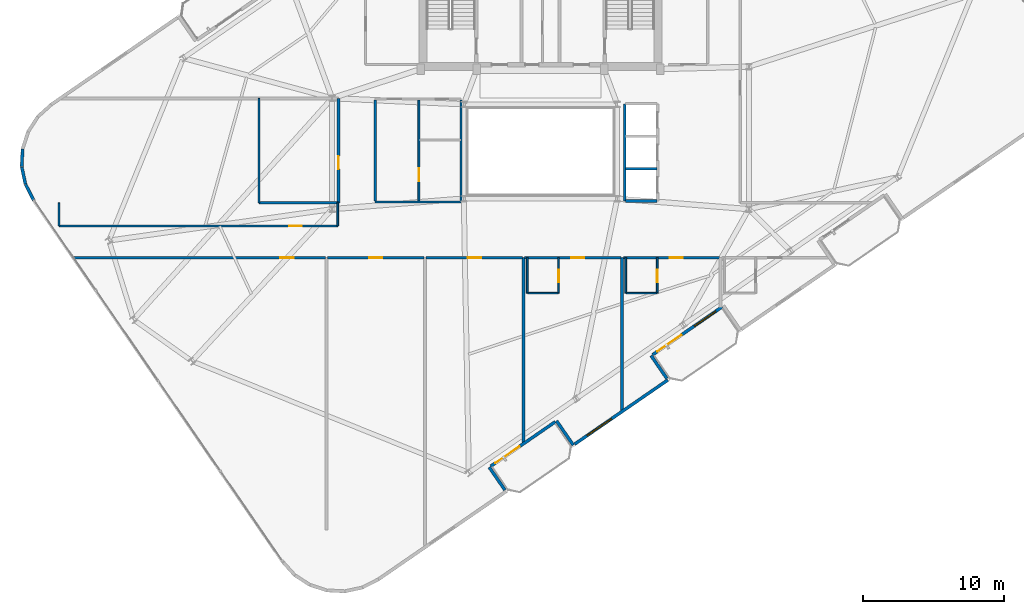
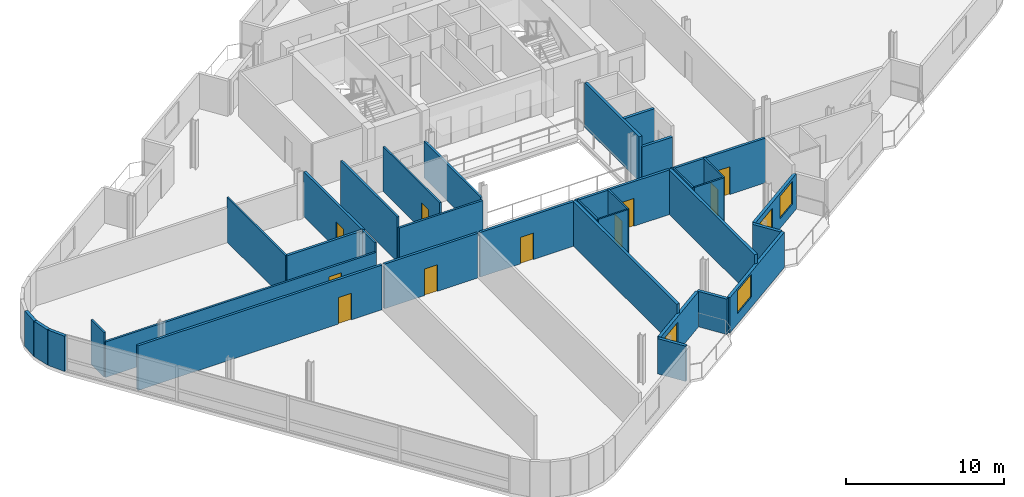
# One storey, part 14 of 21: 35 walls, 12 doors, 2 windows, 14 openings.
"""IFC4 building model written with IfcOpenShell, lengths in metres."""

from ifc_helpers import new_model, si_unit, direction, frame, frame_2d, origin, place, context, subcontext, project, spatial, rectangle, extrude, material, layer, layer_set, type_object, element, fill, save


model = new_model("IFC4")

# Units and contexts
model_context = context("Model", 3, precision=1e-05, world=origin(), true_north=direction((0.0, 1.0)))
body_context = subcontext(model_context, "Body", "Model", "MODEL_VIEW")
ifc_project = project(units=[si_unit("LENGTHUNIT", "METRE"), si_unit("AREAUNIT", "SQUARE_METRE"), si_unit("VOLUMEUNIT", "CUBIC_METRE"), si_unit("PLANEANGLEUNIT", "RADIAN"), si_unit("MASSUNIT", "GRAM", prefix="KILO")], contexts=[model_context])

# Site, building, storey
site_placement = place(None, origin())
site = spatial("IfcSite", under=ifc_project, at=site_placement, CompositionType="ELEMENT")
building_placement = place(site_placement, origin())
building = spatial("IfcBuilding", under=site, at=building_placement, Name="Varnelok Gate Tower", CompositionType="ELEMENT")
storey_placement = place(building_placement, frame((0.0, 0.0, 265.60009765625)))
storey = spatial("IfcBuildingStorey", under=building, at=storey_placement, Name="L68", CompositionType="ELEMENT", Elevation=265.60009765625)

# Wall, opening, door
ifc_material_1 = material(Name="Concrete C45/55", Category="concrete")
ifc_layer_1 = layer(ifc_material_1, 0.219970703125)
ifc_layer_set_1 = layer_set([ifc_layer_1], Name="Concrete C45/55")
wall_type_1 = type_object("IfcWallType", Name="EW-BALC-220", PredefinedType="SOLIDWALL", material=ifc_layer_set_1)
wall_1_placement = place(storey_placement, frame((40.243896484375, 3.6884765625, 0.0), z_axis=(0.0, 0.0, 1.0), x_axis=(-0.823541290762, -0.567256328665, 0.0)))
wall_1 = element("IfcWall", 1, at=wall_1_placement, inside=storey, type_object=wall_type_1, Name="L68 South Terrace Envelope Wall 1", PredefinedType="SOLIDWALL", context=body_context, shape_type="SweptSolid", body=[
    extrude(rectangle(XDim=5.567138671875, YDim=0.219970703125, at=frame_2d((2.78369140625, 0.0))), origin(), (0.0, 0.0, 1.0), 2.72998046875),
])
opening_1_placement = place(wall_1_placement, frame((3.06689453125, 0.0, 0.0)))
opening_1 = element("IfcOpeningElement", 2, at=opening_1_placement, cuts=wall_1, Name="Opening BD-2", PredefinedType="OPENING", context=body_context, shape_type="SweptSolid", body=[
    extrude(rectangle(XDim=2.10009765625, YDim=2.300048828125, at=frame_2d((1.050048828125, 1.14990234375))), frame((0.0, 0.119873046875, 0.0), z_axis=(0.0, -1.0, 0.0), x_axis=(1.0, 0.0, 0.0)), (0.0, 0.0, 1.0), 0.239990234375),
])
ifc_material_2 = material(Name="Anodized Aluminum Alloy 6063-T6", Category="aluminium")
door_type_1 = type_object("IfcDoorType", Name="DR-EXT-SLID2100", OperationType="SLIDING_TO_LEFT", PredefinedType="DOOR", material=ifc_material_2)
door_1_placement = place(opening_1_placement, origin())
door_1 = element("IfcDoor", 3, at=door_1_placement, inside=storey, type_object=door_type_1, Name="L68 South Balcony Glazed Door 1", OperationType="SLIDING_TO_LEFT", OverallHeight=2.300048828125, OverallWidth=2.10009765625, PredefinedType="DOOR", context=body_context, shape_type="SweptSolid", body=[
    extrude(rectangle(XDim=2.10009765625, YDim=2.300048828125, at=frame_2d((1.050048828125, 1.14990234375))), frame((0.0, 0.02490234375, 0.0), z_axis=(0.0, -1.0, 0.0), x_axis=(1.0, 0.0, 0.0)), (0.0, 0.0, 1.0), 0.050048828125),
])
fill(opening_1, door_1)

# Wall, openings, door, window
wall_2_placement = place(storey_placement, frame((52.102783203125, 11.85693359375, 0.0), z_axis=(0.0, 0.0, 1.0), x_axis=(-0.823534636215, -0.567265989598, 0.0)))
wall_2 = element("IfcWall", 4, at=wall_2_placement, inside=storey, type_object=wall_type_1, Name="L68 South Terrace Envelope Wall 2", PredefinedType="SOLIDWALL", context=body_context, shape_type="SweptSolid", body=[
    extrude(rectangle(XDim=6.0, YDim=0.219970703125, at=frame_2d((3.0, 0.0))), origin(), (0.0, 0.0, 1.0), 2.72998046875),
])
opening_2_placement = place(wall_2_placement, frame((3.5, 0.0, 0.0)))
opening_2 = element("IfcOpeningElement", 5, at=opening_2_placement, cuts=wall_2, Name="Opening BD-2", PredefinedType="OPENING", context=body_context, shape_type="SweptSolid", body=[
    extrude(rectangle(XDim=2.10009765625, YDim=2.300048828125, at=frame_2d((1.050048828125, 1.14990234375))), frame((0.0, 0.119873046875, 0.0), z_axis=(0.0, -1.0, 0.0), x_axis=(1.0, 0.0, 0.0)), (0.0, 0.0, 1.0), 0.239990234375),
])
opening_3_placement = place(wall_2_placement, frame((0.550048828125, 0.0, 0.75)))
opening_3 = element("IfcOpeningElement", 6, at=opening_3_placement, cuts=wall_2, Name="Opening WN5", PredefinedType="OPENING", context=body_context, shape_type="SweptSolid", body=[
    extrude(rectangle(XDim=1.85009765625, YDim=1.75, at=frame_2d((0.925048828125, 0.875))), frame((0.0, 0.119873046875, 0.0), z_axis=(0.0, -1.0, 0.0), x_axis=(1.0, 0.0, 0.0)), (0.0, 0.0, 1.0), 0.239990234375),
])
door_2_placement = place(opening_2_placement, origin())
door_2 = element("IfcDoor", 7, at=door_2_placement, inside=storey, type_object=door_type_1, Name="L68 South Balcony Glazed Door 2", OperationType="SLIDING_TO_LEFT", OverallHeight=2.300048828125, OverallWidth=2.10009765625, PredefinedType="DOOR", context=body_context, shape_type="SweptSolid", body=[
    extrude(rectangle(XDim=2.10009765625, YDim=2.300048828125, at=frame_2d((1.050048828125, 1.14990234375))), frame((0.0, 0.02490234375, 0.0), z_axis=(0.0, -1.0, 0.0), x_axis=(1.0, 0.0, 0.0)), (0.0, 0.0, 1.0), 0.050048828125),
])
fill(opening_2, door_2)
ifc_material_3 = material(Name="Low-E Laminated Double Glazing IGU", Category="glass")
window_type_1 = type_object("IfcWindowType", Name="WN-RES-1850", PartitioningType="SINGLE_PANEL", PredefinedType="WINDOW", material=ifc_material_3)
window_1_placement = place(opening_3_placement, origin())
window_1 = element("IfcWindow", 8, at=window_1_placement, inside=storey, type_object=window_type_1, Name="L68 South Vision Window 2.1", OverallHeight=1.75, OverallWidth=1.85009765625, PartitioningType="SINGLE_PANEL", PredefinedType="WINDOW", context=body_context, shape_type="SweptSolid", body=[
    extrude(rectangle(XDim=1.85009765625, YDim=1.75, at=frame_2d((0.925048828125, 0.875))), frame((0.0, 0.030029296875, 0.0), z_axis=(0.0, -1.0, 0.0), x_axis=(1.0, 0.0, 0.0)), (0.0, 0.0, 1.0), 0.06005859375),
])
fill(opening_3, window_1)

# Walls
wall_3_placement = place(storey_placement, frame((36.675048828125, -1.156005859375, 0.0), z_axis=(0.0, 0.0, 1.0), x_axis=(-0.567215821234, 0.823569190865, 0.0)))
element("IfcWall", 9, at=wall_3_placement, inside=storey, type_object=wall_type_1, Name="L68 Perimeter Facade Closure Wall 8", PredefinedType="SOLIDWALL", context=body_context, shape_type="SweptSolid", body=[
    extrude(rectangle(XDim=1.97509765625, YDim=0.219970703125, at=frame_2d((0.987548828125, 0.0))), origin(), (0.0, 0.0, 1.0), 2.72998046875),
])
wall_4_placement = place(storey_placement, frame((40.3369140625, 3.7646484375, 0.0), z_axis=(0.0, 0.0, 1.0), x_axis=(0.567352541689, -0.823475010816, 0.0)))
element("IfcWall", 10, at=wall_4_placement, inside=storey, type_object=wall_type_1, Name="L68 Perimeter Facade Closure Wall 9", PredefinedType="SOLIDWALL", context=body_context, shape_type="SweptSolid", body=[
    extrude(rectangle(XDim=2.099853515625, YDim=0.219970703125, at=frame_2d((1.0498046875, 0.0))), origin(), (0.0, 0.0, 1.0), 2.72998046875),
])

# Wall, opening, window
wall_5_placement = place(storey_placement, frame((41.631103515625, 2.106201171875, 0.0), z_axis=(0.0, 0.0, 1.0), x_axis=(0.823530942962, 0.56727135128, 0.0)))
wall_5 = element("IfcWall", 11, at=wall_5_placement, inside=storey, type_object=wall_type_1, Name="L68 Perimeter Facade Closure Wall 10", PredefinedType="SOLIDWALL", context=body_context, shape_type="SweptSolid", body=[
    extrude(rectangle(XDim=8.03515625, YDim=0.219970703125, at=frame_2d((4.017578125, 0.0))), origin(), (0.0, 0.0, 1.0), 2.72998046875),
])
opening_4_placement = place(wall_5_placement, frame((1.068359375, 0.0, 0.800048828125)))
opening_4 = element("IfcOpeningElement", 12, at=opening_4_placement, cuts=wall_5, Name="Opening WN4", PredefinedType="OPENING", context=body_context, shape_type="SweptSolid", body=[
    extrude(rectangle(XDim=2.10009765625, YDim=1.75, at=frame_2d((1.050048828125, 0.875))), frame((0.0, 0.119873046875, 0.0), z_axis=(0.0, -1.0, 0.0), x_axis=(1.0, 0.0, 0.0)), (0.0, 0.0, 1.0), 0.239990234375),
])
window_type_2 = type_object("IfcWindowType", Name="WN-SUI-2100", PartitioningType="SINGLE_PANEL", PredefinedType="WINDOW", material=ifc_material_3)
window_2_placement = place(opening_4_placement, origin())
window_2 = element("IfcWindow", 13, at=window_2_placement, inside=storey, type_object=window_type_2, Name="L68 Perimeter Vision Window 10", OverallHeight=1.75, OverallWidth=2.10009765625, PartitioningType="SINGLE_PANEL", PredefinedType="WINDOW", context=body_context, shape_type="SweptSolid", body=[
    extrude(rectangle(XDim=2.10009765625, YDim=1.75, at=frame_2d((1.050048828125, 0.875))), frame((0.0, 0.030029296875, 0.0), z_axis=(0.0, -1.0, 0.0), x_axis=(1.0, 0.0, 0.0)), (0.0, 0.0, 1.0), 0.06005859375),
])
fill(opening_4, window_2)

# Walls
wall_6_placement = place(storey_placement, frame((48.17724609375, 6.76708984375, 0.0), z_axis=(0.0, 0.0, 1.0), x_axis=(-0.567273565974, 0.823529417415, 0.0)))
element("IfcWall", 14, at=wall_6_placement, inside=storey, type_object=wall_type_1, Name="L68 Perimeter Facade Closure Wall 11", PredefinedType="SOLIDWALL", context=body_context, shape_type="SweptSolid", body=[
    extrude(rectangle(XDim=1.97509765625, YDim=0.219970703125, at=frame_2d((0.987548828125, 0.0))), origin(), (0.0, 0.0, 1.0), 2.72998046875),
])
wall_7_placement = place(storey_placement, frame((2.409912109375, 23.06591796875, 0.0), z_axis=(0.0, 0.0, 1.0), x_axis=(-0.051234756022, -0.998686637427, 0.0)))
element("IfcWall", 15, at=wall_7_placement, inside=storey, type_object=wall_type_1, Name="L68 Perimeter Facade Closure Wall 42", PredefinedType="SOLIDWALL", context=body_context, shape_type="SweptSolid", body=[
    extrude(rectangle(XDim=1.24853515625, YDim=0.219970703125, at=frame_2d((0.624267578125, 0.0))), origin(), (0.0, 0.0, 1.0), 2.72998046875),
])
for number, where, z_axis, x_axis, name in (
    (16, (2.35107421875, 21.794677734375, 0.0), (0.0, 0.0, 1.0), (0.208994994656, -0.977916710262, 0.0), "L68 Perimeter Facade Closure Wall 43"),
    (17, (2.623291015625, 20.55126953125, 0.0), (0.0, 0.0, 1.0), (0.454938817534, -0.890522696118, 0.0), "L68 Perimeter Facade Closure Wall 44"),
):
    element("IfcWall", number, at=place(storey_placement, frame(where, z_axis=z_axis, x_axis=x_axis)), inside=storey, type_object=wall_type_1, Name=name, PredefinedType="SOLIDWALL", context=body_context, shape_type="SweptSolid", body=[
        extrude(rectangle(XDim=1.248779296875, YDim=0.219970703125, at=frame_2d((0.62451171875, 0.0))), origin(), (0.0, 0.0, 1.0), 2.72998046875),
    ])

# Wall, opening, door
ifc_material_4 = material(Name="Gypsum Plasterboard Acoustic Partition", Category="gypsum")
ifc_layer_2 = layer(ifc_material_4, 0.179931640625)
ifc_layer_set_2 = layer_set([ifc_layer_2], Name="Gypsum Plasterboard Acoustic Partition")
wall_type_2 = type_object("IfcWallType", Name="PW-CORR-180", PredefinedType="PARTITIONING", material=ifc_layer_set_2)
wall_8_placement = place(storey_placement, frame((6.071044921875, 15.35009765625, 0.0), z_axis=(0.0, 0.0, 1.0), x_axis=(1.0, 0.0, 0.0)))
wall_8 = element("IfcWall", 18, at=wall_8_placement, inside=storey, type_object=wall_type_2, Name="Interior Partition", PredefinedType="PARTITIONING", context=body_context, shape_type="SweptSolid", body=[
    extrude(rectangle(XDim=17.848876953125, YDim=0.179931640625, at=frame_2d((8.92431640625, 0.0))), origin(), (0.0, 0.0, 1.0), 3.449951171875),
])
opening_5_placement = place(wall_8_placement, frame((14.65380859375, 0.0, 0.0)))
opening_5 = element("IfcOpeningElement", 19, at=opening_5_placement, cuts=wall_8, Name="Opening D-I2", PredefinedType="OPENING", context=body_context, shape_type="SweptSolid", body=[
    extrude(rectangle(XDim=0.949951171875, YDim=2.050048828125, at=frame_2d((0.47509765625, 1.02490234375))), frame((0.0, 0.099853515625, 0.0), z_axis=(0.0, -1.0, 0.0), x_axis=(1.0, 0.0, 0.0)), (0.0, 0.0, 1.0), 0.199951171875),
])
ifc_material_5 = material(Name="Engineered Hardwood Timber", Category="wood")
door_type_2 = type_object("IfcDoorType", Name="DR-INT-950", OperationType="NOTDEFINED", PredefinedType="DOOR", material=ifc_material_5)
door_3_placement = place(opening_5_placement, origin())
door_3 = element("IfcDoor", 20, at=door_3_placement, inside=storey, type_object=door_type_2, Name="L68 Sky Fine-Dining Restaurant Door", OperationType="SINGLE_SWING_LEFT", OverallHeight=2.050048828125, OverallWidth=0.949951171875, PredefinedType="DOOR", context=body_context, shape_type="SweptSolid", body=[
    extrude(rectangle(XDim=0.949951171875, YDim=2.050048828125, at=frame_2d((0.47509765625, 1.02490234375))), frame((0.0, 0.02490234375, 0.0), z_axis=(0.0, -1.0, 0.0), x_axis=(1.0, 0.0, 0.0)), (0.0, 0.0, 1.0), 0.050048828125),
])
fill(opening_5, door_3)

wall_9_placement = place(storey_placement, frame((24.080078125, 15.35009765625, 0.0), z_axis=(0.0, 0.0, 1.0), x_axis=(1.0, 0.0, 0.0)))
wall_9 = element("IfcWall", 21, at=wall_9_placement, inside=storey, type_object=wall_type_2, Name="Interior Partition", PredefinedType="PARTITIONING", context=body_context, shape_type="SweptSolid", body=[
    extrude(rectangle(XDim=6.83984375, YDim=0.179931640625, at=frame_2d((3.419921875, 0.0))), origin(), (0.0, 0.0, 1.0), 3.449951171875),
])
opening_6_placement = place(wall_9_placement, frame((2.945068359375, 0.0, 0.0)))
opening_6 = element("IfcOpeningElement", 22, at=opening_6_placement, cuts=wall_9, Name="Opening D-I2", PredefinedType="OPENING", context=body_context, shape_type="SweptSolid", body=[
    extrude(rectangle(XDim=0.949951171875, YDim=2.050048828125, at=frame_2d((0.47509765625, 1.02490234375))), frame((0.0, 0.099853515625, 0.0), z_axis=(0.0, -1.0, 0.0), x_axis=(1.0, 0.0, 0.0)), (0.0, 0.0, 1.0), 0.199951171875),
])
door_4_placement = place(opening_6_placement, origin())
door_4 = element("IfcDoor", 23, at=door_4_placement, inside=storey, type_object=door_type_2, Name="L68 Sommelier Tasting Cellar Door", OperationType="SINGLE_SWING_LEFT", OverallHeight=2.050048828125, OverallWidth=0.949951171875, PredefinedType="DOOR", context=body_context, shape_type="SweptSolid", body=[
    extrude(rectangle(XDim=0.949951171875, YDim=2.050048828125, at=frame_2d((0.47509765625, 1.02490234375))), frame((0.0, 0.02490234375, 0.0), z_axis=(0.0, -1.0, 0.0), x_axis=(1.0, 0.0, 0.0)), (0.0, 0.0, 1.0), 0.050048828125),
])
fill(opening_6, door_4)

wall_10_placement = place(storey_placement, frame((31.080078125, 15.35009765625, 0.0), z_axis=(0.0, 0.0, 1.0), x_axis=(1.0, 0.0, 0.0)))
wall_10 = element("IfcWall", 24, at=wall_10_placement, inside=storey, type_object=wall_type_2, Name="Interior Partition", PredefinedType="PARTITIONING", context=body_context, shape_type="SweptSolid", body=[
    extrude(rectangle(XDim=6.83984375, YDim=0.179931640625, at=frame_2d((3.419921875, 0.0))), origin(), (0.0, 0.0, 1.0), 3.449951171875),
])
opening_7_placement = place(wall_10_placement, frame((2.945068359375, 0.0, 0.0)))
opening_7 = element("IfcOpeningElement", 25, at=opening_7_placement, cuts=wall_10, Name="Opening D-I2", PredefinedType="OPENING", context=body_context, shape_type="SweptSolid", body=[
    extrude(rectangle(XDim=0.949951171875, YDim=2.050048828125, at=frame_2d((0.47509765625, 1.02490234375))), frame((0.0, 0.099853515625, 0.0), z_axis=(0.0, -1.0, 0.0), x_axis=(1.0, 0.0, 0.0)), (0.0, 0.0, 1.0), 0.199951171875),
])
door_5_placement = place(opening_7_placement, origin())
door_5 = element("IfcDoor", 26, at=door_5_placement, inside=storey, type_object=door_type_2, Name="L68 Constructivist Architecture Exhibition Gallery Door", OperationType="SINGLE_SWING_LEFT", OverallHeight=2.050048828125, OverallWidth=0.949951171875, PredefinedType="DOOR", context=body_context, shape_type="SweptSolid", body=[
    extrude(rectangle(XDim=0.949951171875, YDim=2.050048828125, at=frame_2d((0.47509765625, 1.02490234375))), frame((0.0, 0.02490234375, 0.0), z_axis=(0.0, -1.0, 0.0), x_axis=(1.0, 0.0, 0.0)), (0.0, 0.0, 1.0), 0.050048828125),
])
fill(opening_7, door_5)

wall_11_placement = place(storey_placement, frame((38.080078125, 15.35009765625, 0.0), z_axis=(0.0, 0.0, 1.0), x_axis=(1.0, 0.0, 0.0)))
wall_11 = element("IfcWall", 27, at=wall_11_placement, inside=storey, type_object=wall_type_2, Name="Interior Partition", PredefinedType="PARTITIONING", context=body_context, shape_type="SweptSolid", body=[
    extrude(rectangle(XDim=6.83984375, YDim=0.179931640625, at=frame_2d((3.419921875, 0.0))), origin(), (0.0, 0.0, 1.0), 3.449951171875),
])
opening_8_placement = place(wall_11_placement, frame((3.2900390625, 0.0, 0.0)))
opening_8 = element("IfcOpeningElement", 28, at=opening_8_placement, cuts=wall_11, Name="Opening D-HT", PredefinedType="OPENING", context=body_context, shape_type="SweptSolid", body=[
    extrude(rectangle(XDim=0.949951171875, YDim=2.14990234375, at=frame_2d((0.47509765625, 1.074951171875))), frame((0.0, 0.099853515625, 0.0), z_axis=(0.0, -1.0, 0.0), x_axis=(1.0, 0.0, 0.0)), (0.0, 0.0, 1.0), 0.199951171875),
])
door_type_3 = type_object("IfcDoorType", Name="DR-HTL-950", OperationType="NOTDEFINED", PredefinedType="DOOR", material=ifc_material_5)
door_6_placement = place(opening_8_placement, origin())
door_6 = element("IfcDoor", 29, at=door_6_placement, inside=storey, type_object=door_type_3, Name="L68 Guest Room 04 Entrance Door", OperationType="SINGLE_SWING_LEFT", OverallHeight=2.14990234375, OverallWidth=0.949951171875, PredefinedType="DOOR", context=body_context, shape_type="SweptSolid", body=[
    extrude(rectangle(XDim=0.949951171875, YDim=2.14990234375, at=frame_2d((0.47509765625, 1.074951171875))), frame((0.0, 0.02490234375, 0.0), z_axis=(0.0, -1.0, 0.0), x_axis=(1.0, 0.0, 0.0)), (0.0, 0.0, 1.0), 0.050048828125),
])
fill(opening_8, door_6)

wall_12_placement = place(storey_placement, frame((45.080078125, 15.35009765625, 0.0), z_axis=(0.0, 0.0, 1.0), x_axis=(1.0, 0.0, 0.0)))
wall_12 = element("IfcWall", 30, at=wall_12_placement, inside=storey, type_object=wall_type_2, Name="Interior Partition", PredefinedType="PARTITIONING", context=body_context, shape_type="SweptSolid", body=[
    extrude(rectangle(XDim=6.83984375, YDim=0.179931640625, at=frame_2d((3.419921875, 0.0))), origin(), (0.0, 0.0, 1.0), 3.449951171875),
])
opening_9_placement = place(wall_12_placement, frame((3.2900390625, 0.0, 0.0)))
opening_9 = element("IfcOpeningElement", 31, at=opening_9_placement, cuts=wall_12, Name="Opening D-HT", PredefinedType="OPENING", context=body_context, shape_type="SweptSolid", body=[
    extrude(rectangle(XDim=0.949951171875, YDim=2.14990234375, at=frame_2d((0.47509765625, 1.074951171875))), frame((0.0, 0.099853515625, 0.0), z_axis=(0.0, -1.0, 0.0), x_axis=(1.0, 0.0, 0.0)), (0.0, 0.0, 1.0), 0.199951171875),
])
door_7_placement = place(opening_9_placement, origin())
door_7 = element("IfcDoor", 32, at=door_7_placement, inside=storey, type_object=door_type_3, Name="L68 Guest Room 05 Entrance Door", OperationType="SINGLE_SWING_RIGHT", OverallHeight=2.14990234375, OverallWidth=0.949951171875, PredefinedType="DOOR", context=body_context, shape_type="SweptSolid", body=[
    extrude(rectangle(XDim=0.949951171875, YDim=2.14990234375, at=frame_2d((0.47509765625, 1.074951171875))), frame((0.0, 0.02490234375, 0.0), z_axis=(0.0, -1.0, 0.0), x_axis=(1.0, 0.0, 0.0)), (0.0, 0.0, 1.0), 0.050048828125),
])
fill(opening_9, door_7)

wall_13_placement = place(storey_placement, frame((24.85009765625, 19.239990234375, 0.0), z_axis=(0.0, 0.0, 1.0), x_axis=(0.0, 1.0, 0.0)))
wall_13 = element("IfcWall", 33, at=wall_13_placement, inside=storey, type_object=wall_type_2, Name="Interior Partition", PredefinedType="PARTITIONING", context=body_context, shape_type="SweptSolid", body=[
    extrude(rectangle(XDim=7.419921875, YDim=0.179931640625, at=frame_2d((3.7099609375, 0.0))), origin(), (0.0, 0.0, 1.0), 3.449951171875),
])
opening_10_placement = place(wall_13_placement, frame((2.39990234375, 0.0, 0.0)))
opening_10 = element("IfcOpeningElement", 34, at=opening_10_placement, cuts=wall_13, Name="Opening D-I3", PredefinedType="OPENING", context=body_context, shape_type="SweptSolid", body=[
    extrude(rectangle(XDim=0.919921875, YDim=2.050048828125, at=frame_2d((0.4599609375, 1.02490234375))), frame((0.0, 0.099853515625, 0.0), z_axis=(0.0, -1.0, 0.0), x_axis=(1.0, 0.0, 0.0)), (0.0, 0.0, 1.0), 0.199951171875),
])
door_type_4 = type_object("IfcDoorType", Name="DR-INT-920", OperationType="NOTDEFINED", PredefinedType="DOOR", material=ifc_material_5)
door_8_placement = place(opening_10_placement, origin())
door_8 = element("IfcDoor", 35, at=door_8_placement, inside=storey, type_object=door_type_4, Name="L68 West Playroom Door", OperationType="SINGLE_SWING_LEFT", OverallHeight=2.050048828125, OverallWidth=0.919921875, PredefinedType="DOOR", context=body_context, shape_type="SweptSolid", body=[
    extrude(rectangle(XDim=0.919921875, YDim=2.050048828125, at=frame_2d((0.4599609375, 1.02490234375))), frame((0.0, 0.02490234375, 0.0), z_axis=(0.0, -1.0, 0.0), x_axis=(1.0, 0.0, 0.0)), (0.0, 0.0, 1.0), 0.050048828125),
])
fill(opening_10, door_8)

# Walls
wall_14_placement = place(storey_placement, frame((19.199951171875, 19.239990234375, 0.0), z_axis=(0.0, 0.0, 1.0), x_axis=(1.0, 0.0, 0.0)))
element("IfcWall", 36, at=wall_14_placement, inside=storey, type_object=wall_type_2, Name="Interior Partition", PredefinedType="PARTITIONING", context=body_context, shape_type="SweptSolid", body=[
    extrude(rectangle(XDim=5.650146484375, YDim=0.179931640625, at=frame_2d((2.8251953125, 0.0))), origin(), (0.0, 0.0, 1.0), 3.449951171875),
])
ifc_layer_3 = layer(ifc_material_4, 0.114990234375)
ifc_layer_set_3 = layer_set([ifc_layer_3], Name="Gypsum Plasterboard Acoustic Partition")
wall_type_3 = type_object("IfcWallType", Name="PW-ENS-125", PredefinedType="PARTITIONING", material=ifc_layer_set_3)
wall_15_placement = place(storey_placement, frame((38.300048828125, 12.830078125, 0.0), z_axis=(0.0, 0.0, 1.0), x_axis=(1.0, 0.0, 0.0)))
element("IfcWall", 37, at=wall_15_placement, inside=storey, type_object=wall_type_3, Name="Interior Partition", PredefinedType="PARTITIONING", context=body_context, shape_type="SweptSolid", body=[
    extrude(rectangle(XDim=2.14990234375, YDim=0.114990234375, at=frame_2d((1.074951171875, 0.0))), origin(), (0.0, 0.0, 1.0), 3.449951171875),
])

# Wall, opening, door
wall_16_placement = place(storey_placement, frame((40.489990234375, 12.830078125, 0.0), z_axis=(0.0, 0.0, 1.0), x_axis=(0.0, 1.0, 0.0)))
wall_16 = element("IfcWall", 38, at=wall_16_placement, inside=storey, type_object=wall_type_3, Name="Interior Partition", PredefinedType="PARTITIONING", context=body_context, shape_type="SweptSolid", body=[
    extrude(rectangle(XDim=2.52001953125, YDim=0.114990234375, at=frame_2d((1.260009765625, 0.0))), origin(), (0.0, 0.0, 1.0), 3.449951171875),
])
opening_11_placement = place(wall_16_placement, frame((0.760009765625, 0.0, 0.0)))
opening_11 = element("IfcOpeningElement", 39, at=opening_11_placement, cuts=wall_16, Name="Opening D-WC", PredefinedType="OPENING", context=body_context, shape_type="SweptSolid", body=[
    extrude(rectangle(XDim=0.89990234375, YDim=2.050048828125, at=frame_2d((0.449951171875, 1.02490234375))), frame((0.0, 0.0673828125, 0.0), z_axis=(0.0, -1.0, 0.0), x_axis=(1.0, 0.0, 0.0)), (0.0, 0.0, 1.0), 0.135009765625),
])
door_type_5 = type_object("IfcDoorType", Name="DR-BATH-900", OperationType="NOTDEFINED", PredefinedType="DOOR", material=ifc_material_5)
door_9_placement = place(opening_11_placement, origin())
door_9 = element("IfcDoor", 40, at=door_9_placement, inside=storey, type_object=door_type_5, Name="L68 Guest En-Suite 04 Door", OperationType="SINGLE_SWING_LEFT", OverallHeight=2.050048828125, OverallWidth=0.89990234375, PredefinedType="DOOR", context=body_context, shape_type="SweptSolid", body=[
    extrude(rectangle(XDim=0.89990234375, YDim=2.050048828125, at=frame_2d((0.449951171875, 1.02490234375))), frame((0.0, 0.02490234375, 0.0), z_axis=(0.0, -1.0, 0.0), x_axis=(1.0, 0.0, 0.0)), (0.0, 0.0, 1.0), 0.050048828125),
])
fill(opening_11, door_9)

# Walls
wall_17_placement = place(storey_placement, frame((38.260009765625, 12.830078125, 0.0), z_axis=(0.0, 0.0, 1.0), x_axis=(0.0, 1.0, 0.0)))
element("IfcWall", 41, at=wall_17_placement, inside=storey, type_object=wall_type_3, Name="Interior Partition", PredefinedType="PARTITIONING", context=body_context, shape_type="SweptSolid", body=[
    extrude(rectangle(XDim=2.52001953125, YDim=0.114990234375, at=frame_2d((1.260009765625, 0.0))), origin(), (0.0, 0.0, 1.0), 3.449951171875),
])
wall_18_placement = place(storey_placement, frame((45.300048828125, 12.830078125, 0.0), z_axis=(0.0, 0.0, 1.0), x_axis=(1.0, 0.0, 0.0)))
element("IfcWall", 42, at=wall_18_placement, inside=storey, type_object=wall_type_3, Name="Interior Partition", PredefinedType="PARTITIONING", context=body_context, shape_type="SweptSolid", body=[
    extrude(rectangle(XDim=2.14990234375, YDim=0.114990234375, at=frame_2d((1.074951171875, 0.0))), origin(), (0.0, 0.0, 1.0), 3.449951171875),
])

# Wall, opening, door
wall_19_placement = place(storey_placement, frame((47.489990234375, 12.830078125, 0.0), z_axis=(0.0, 0.0, 1.0), x_axis=(0.0, 1.0, 0.0)))
wall_19 = element("IfcWall", 43, at=wall_19_placement, inside=storey, type_object=wall_type_3, Name="Interior Partition", PredefinedType="PARTITIONING", context=body_context, shape_type="SweptSolid", body=[
    extrude(rectangle(XDim=2.52001953125, YDim=0.114990234375, at=frame_2d((1.260009765625, 0.0))), origin(), (0.0, 0.0, 1.0), 3.449951171875),
])
opening_12_placement = place(wall_19_placement, frame((0.760009765625, 0.0, 0.0)))
opening_12 = element("IfcOpeningElement", 44, at=opening_12_placement, cuts=wall_19, Name="Opening D-WC", PredefinedType="OPENING", context=body_context, shape_type="SweptSolid", body=[
    extrude(rectangle(XDim=0.89990234375, YDim=2.050048828125, at=frame_2d((0.449951171875, 1.02490234375))), frame((0.0, 0.0673828125, 0.0), z_axis=(0.0, -1.0, 0.0), x_axis=(1.0, 0.0, 0.0)), (0.0, 0.0, 1.0), 0.135009765625),
])
door_10_placement = place(opening_12_placement, origin())
door_10 = element("IfcDoor", 45, at=door_10_placement, inside=storey, type_object=door_type_5, Name="L68 Guest En-Suite 05 Door", OperationType="SINGLE_SWING_LEFT", OverallHeight=2.050048828125, OverallWidth=0.89990234375, PredefinedType="DOOR", context=body_context, shape_type="SweptSolid", body=[
    extrude(rectangle(XDim=0.89990234375, YDim=2.050048828125, at=frame_2d((0.449951171875, 1.02490234375))), frame((0.0, 0.02490234375, 0.0), z_axis=(0.0, -1.0, 0.0), x_axis=(1.0, 0.0, 0.0)), (0.0, 0.0, 1.0), 0.050048828125),
])
fill(opening_12, door_10)

# Walls
wall_20_placement = place(storey_placement, frame((45.260009765625, 12.830078125, 0.0), z_axis=(0.0, 0.0, 1.0), x_axis=(0.0, 1.0, 0.0)))
element("IfcWall", 46, at=wall_20_placement, inside=storey, type_object=wall_type_3, Name="Interior Partition", PredefinedType="PARTITIONING", context=body_context, shape_type="SweptSolid", body=[
    extrude(rectangle(XDim=2.52001953125, YDim=0.114990234375, at=frame_2d((1.260009765625, 0.0))), origin(), (0.0, 0.0, 1.0), 3.449951171875),
])
ifc_layer_4 = layer(ifc_material_4, 0.125)
ifc_layer_set_4 = layer_set([ifc_layer_4], Name="Gypsum Plasterboard Acoustic Partition")
wall_type_4 = type_object("IfcWallType", Name="PW-PART-125", PredefinedType="PARTITIONING", material=ifc_layer_set_4)
for number, where, z_axis, x_axis, name in (
    (47, (5.0, 17.610107421875, 0.0), (0.0, 0.0, 1.0), (0.0, 1.0, 0.0), "Interior Partition"),
    (48, (24.800048828125, 17.610107421875, 0.0), (0.0, 0.0, 1.0), (0.0, 1.0, 0.0), "Interior Partition"),
):
    element("IfcWall", number, at=place(storey_placement, frame(where, z_axis=z_axis, x_axis=x_axis)), inside=storey, type_object=wall_type_4, Name=name, PredefinedType="PARTITIONING", context=body_context, shape_type="SweptSolid", body=[
        extrude(rectangle(XDim=1.6298828125, YDim=0.125, at=frame_2d((0.81494140625, 0.0))), origin(), (0.0, 0.0, 1.0), 3.449951171875),
    ])
wall_21_placement = place(storey_placement, frame((19.199951171875, 19.239990234375, 0.0), z_axis=(0.0, 0.0, 1.0), x_axis=(0.0, 1.0, 0.0)))
element("IfcWall", 49, at=wall_21_placement, inside=storey, type_object=wall_type_4, Name="Interior Partition", PredefinedType="PARTITIONING", context=body_context, shape_type="SweptSolid", body=[
    extrude(rectangle(XDim=7.419921875, YDim=0.125, at=frame_2d((3.7099609375, 0.0))), origin(), (0.0, 0.0, 1.0), 3.449951171875),
])

# Wall, opening, door
wall_22_placement = place(storey_placement, frame((30.56005859375, 19.3798828125, 0.0), z_axis=(0.0, 0.0, 1.0), x_axis=(0.0, 1.0, 0.0)))
wall_22 = element("IfcWall", 50, at=wall_22_placement, inside=storey, type_object=wall_type_4, Name="Interior Partition", PredefinedType="PARTITIONING", context=body_context, shape_type="SweptSolid", body=[
    extrude(rectangle(XDim=7.16015625, YDim=0.125, at=frame_2d((3.580078125, 0.0))), origin(), (0.0, 0.0, 1.0), 3.449951171875),
])
opening_13_placement = place(wall_22_placement, frame((1.39990234375, 0.0, 0.0)))
opening_13 = element("IfcOpeningElement", 51, at=opening_13_placement, cuts=wall_22, Name="Opening D-I3", PredefinedType="OPENING", context=body_context, shape_type="SweptSolid", body=[
    extrude(rectangle(XDim=0.919921875, YDim=2.050048828125, at=frame_2d((0.4599609375, 1.02490234375))), frame((0.0, 0.072509765625, 0.0), z_axis=(0.0, -1.0, 0.0), x_axis=(1.0, 0.0, 0.0)), (0.0, 0.0, 1.0), 0.14501953125),
])
door_11_placement = place(opening_13_placement, origin())
door_11 = element("IfcDoor", 52, at=door_11_placement, inside=storey, type_object=door_type_4, Name="L68 Floor Linen Store Door", OperationType="SINGLE_SWING_RIGHT", OverallHeight=2.050048828125, OverallWidth=0.919921875, PredefinedType="DOOR", context=body_context, shape_type="SweptSolid", body=[
    extrude(rectangle(XDim=0.919921875, YDim=2.050048828125, at=frame_2d((0.4599609375, 1.02490234375))), frame((0.0, 0.02490234375, 0.0), z_axis=(0.0, -1.0, 0.0), x_axis=(1.0, 0.0, 0.0)), (0.0, 0.0, 1.0), 0.050048828125),
])
fill(opening_13, door_11)

ifc_layer_5 = layer(ifc_material_4, 0.14990234375)
ifc_layer_set_5 = layer_set([ifc_layer_5], Name="Gypsum Plasterboard Acoustic Partition")
wall_type_5 = type_object("IfcWallType", Name="PW-PART-150", PredefinedType="PARTITIONING", material=ifc_layer_set_5)
wall_23_placement = place(storey_placement, frame((5.0, 17.610107421875, 0.0), z_axis=(0.0, 0.0, 1.0), x_axis=(1.0, 0.0, 0.0)))
wall_23 = element("IfcWall", 53, at=wall_23_placement, inside=storey, type_object=wall_type_5, Name="Interior Partition", PredefinedType="PARTITIONING", context=body_context, shape_type="SweptSolid", body=[
    extrude(rectangle(XDim=19.800048828125, YDim=0.14990234375, at=frame_2d((9.89990234375, 0.0))), origin(), (0.0, 0.0, 1.0), 2.739013671875),
])
opening_14_placement = place(wall_23_placement, frame((16.3349609375, 0.0, 0.0)))
opening_14 = element("IfcOpeningElement", 54, at=opening_14_placement, cuts=wall_23, Name="Opening D-I3", PredefinedType="OPENING", context=body_context, shape_type="SweptSolid", body=[
    extrude(rectangle(XDim=0.919921875, YDim=2.050048828125, at=frame_2d((0.4599609375, 1.02490234375))), frame((0.0, 0.0849609375, 0.0), z_axis=(0.0, -1.0, 0.0), x_axis=(1.0, 0.0, 0.0)), (0.0, 0.0, 1.0), 0.169921875),
])
door_12_placement = place(opening_14_placement, origin())
door_12 = element("IfcDoor", 55, at=door_12_placement, inside=storey, type_object=door_type_4, Name="L68 Atrium Room 1 Door", OperationType="SINGLE_SWING_LEFT", OverallHeight=2.050048828125, OverallWidth=0.919921875, PredefinedType="DOOR", context=body_context, shape_type="SweptSolid", body=[
    extrude(rectangle(XDim=0.919921875, YDim=2.050048828125, at=frame_2d((0.4599609375, 1.02490234375))), frame((0.0, 0.02490234375, 0.0), z_axis=(0.0, -1.0, 0.0), x_axis=(1.0, 0.0, 0.0)), (0.0, 0.0, 1.0), 0.050048828125),
])
fill(opening_14, door_12)

# Walls
wall_24_placement = place(storey_placement, frame((27.4599609375, 19.300048828125, 0.0), z_axis=(0.0, 0.0, 1.0), x_axis=(1.0, 0.0, 0.0)))
element("IfcWall", 56, at=wall_24_placement, inside=storey, type_object=wall_type_5, Name="Interior Partition", PredefinedType="PARTITIONING", context=body_context, shape_type="SweptSolid", body=[
    extrude(rectangle(XDim=6.10009765625, YDim=0.14990234375, at=frame_2d((3.050048828125, 0.0))), origin(), (0.0, 0.0, 1.0), 2.661865234375),
])
wall_25_placement = place(storey_placement, frame((27.4599609375, 19.3798828125, 0.0), z_axis=(0.0, 0.0, 1.0), x_axis=(0.0, 1.0, 0.0)))
element("IfcWall", 57, at=wall_25_placement, inside=storey, type_object=wall_type_5, Name="Interior Partition", PredefinedType="PARTITIONING", context=body_context, shape_type="SweptSolid", body=[
    extrude(rectangle(XDim=7.16015625, YDim=0.14990234375, at=frame_2d((3.580078125, 0.0))), origin(), (0.0, 0.0, 1.0), 3.449951171875),
])
wall_26_placement = place(storey_placement, frame((33.56005859375, 19.3798828125, 0.0), z_axis=(0.0, 0.0, 1.0), x_axis=(0.0, 1.0, 0.0)))
element("IfcWall", 58, at=wall_26_placement, inside=storey, type_object=wall_type_5, Name="Interior Partition", PredefinedType="PARTITIONING", context=body_context, shape_type="SweptSolid", body=[
    extrude(rectangle(XDim=7.16015625, YDim=0.14990234375, at=frame_2d((3.580078125, 0.0))), origin(), (0.0, 0.0, 1.0), 2.823974609375),
])
ifc_layer_6 = layer(ifc_material_4, 0.205078125)
ifc_layer_set_6 = layer_set([ifc_layer_6], Name="Gypsum Plasterboard Acoustic Partition")
wall_type_6 = type_object("IfcWallType", Name="PW-PARTY-200", PredefinedType="PARTITIONING", material=ifc_layer_set_6)
wall_27_placement = place(storey_placement, frame((38.0, 2.17919921875, 0.0), z_axis=(0.0, 0.0, 1.0), x_axis=(0.0, 1.0, 0.0)))
element("IfcWall", 59, at=wall_27_placement, inside=storey, type_object=wall_type_6, Name="L68 South Party Wall 3", PredefinedType="PARTITIONING", context=body_context, shape_type="SweptSolid", body=[
    extrude(rectangle(XDim=13.1708984375, YDim=0.205078125, at=frame_2d((6.58544921875, 0.0))), origin(), (0.0, 0.0, 1.0), 3.449951171875),
])
wall_28_placement = place(storey_placement, frame((45.0, 4.450927734375, 0.0), z_axis=(0.0, 0.0, 1.0), x_axis=(0.0, 1.0, 0.0)))
element("IfcWall", 60, at=wall_28_placement, inside=storey, type_object=wall_type_6, Name="L68 South Party Wall 4", PredefinedType="PARTITIONING", context=body_context, shape_type="SweptSolid", body=[
    extrude(rectangle(XDim=10.899169921875, YDim=0.205078125, at=frame_2d((5.44970703125, 0.0))), origin(), (0.0, 0.0, 1.0), 3.449951171875),
])
ifc_material_6 = material(Name="Concrete C35/45", Category="concrete")
ifc_layer_7 = layer(ifc_material_6, 0.199951171875)
ifc_layer_set_7 = layer_set([ifc_layer_7], Name="Concrete C35/45")
wall_type_7 = type_object("IfcWallType", Name="PW-SHAFT-200", PredefinedType="PARTITIONING", material=ifc_layer_set_7)
wall_29_placement = place(storey_placement, frame((45.239990234375, 21.675048828125, 0.0), z_axis=(0.0, 0.0, 1.0), x_axis=(1.0, 0.0, 0.0)))
element("IfcWall", 61, at=wall_29_placement, inside=storey, type_object=wall_type_7, Name="L68 PH1 Divider", PredefinedType="PARTITIONING", context=body_context, shape_type="SweptSolid", body=[
    extrude(rectangle(XDim=2.219970703125, YDim=0.199951171875, at=frame_2d((1.10986328125, 0.0))), origin(), (0.0, 0.0, 1.0), 3.449951171875),
])
wall_30_placement = place(storey_placement, frame((45.239990234375, 19.3798828125, 0.0), z_axis=(0.0, 0.0, 1.0), x_axis=(1.0, 0.0, 0.0)))
element("IfcWall", 62, at=wall_30_placement, inside=storey, type_object=wall_type_7, Name="L68 PH Bank South Wall", PredefinedType="PARTITIONING", context=body_context, shape_type="SweptSolid", body=[
    extrude(rectangle(XDim=2.219970703125, YDim=0.199951171875, at=frame_2d((1.10986328125, 0.0))), origin(), (0.0, 0.0, 1.0), 2.661865234375),
])
wall_31_placement = place(storey_placement, frame((45.179931640625, 19.3798828125, 0.0), z_axis=(0.0, 0.0, 1.0), x_axis=(0.0, 1.0, 0.0)))
element("IfcWall", 63, at=wall_31_placement, inside=storey, type_object=wall_type_7, Name="L68 PH Bank Atrium Wall", PredefinedType="PARTITIONING", context=body_context, shape_type="SweptSolid", body=[
    extrude(rectangle(XDim=6.900146484375, YDim=0.199951171875, at=frame_2d((3.4501953125, 0.0))), origin(), (0.0, 0.0, 1.0), 3.449951171875),
])

save(model, "model.ifc")
